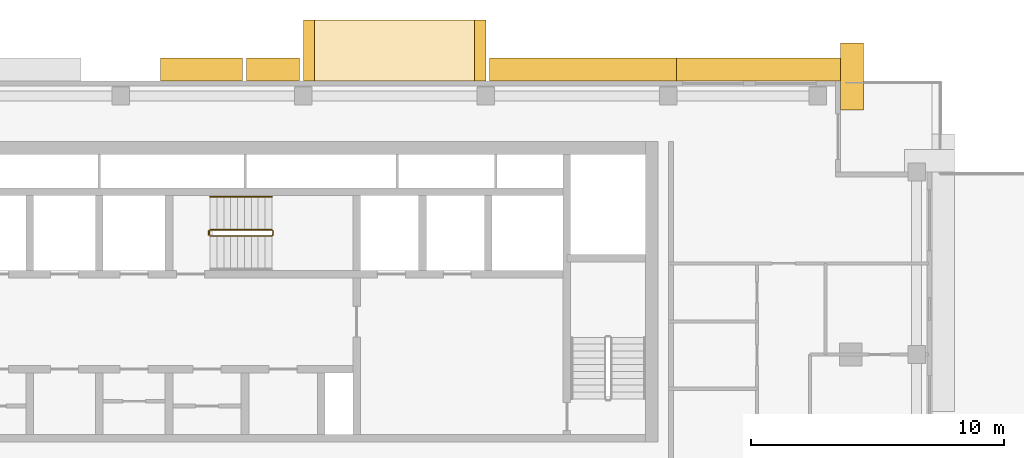
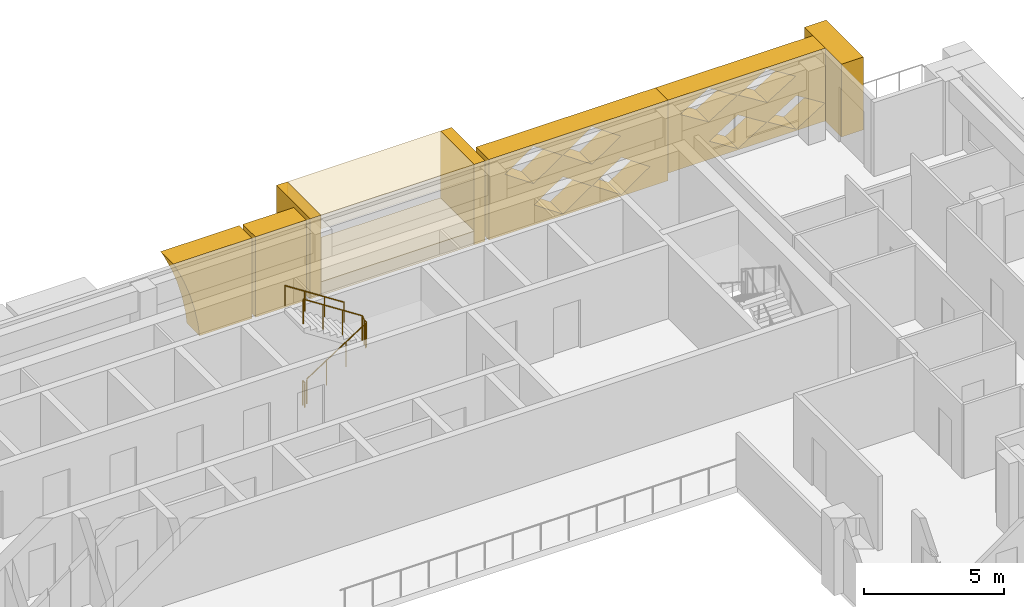
# One storey, part 18 of 19: 9 coverings, 3 railings.
"""IFC4 building model written with IfcOpenShell, lengths in metres."""

from ifc_helpers import new_model, si_unit, direction, frame, origin, origin_2d, place, context, subcontext, project, spatial, polyline, circle, outline, extrude, material, type_object, element, save


model = new_model("IFC4")

# Units and contexts
model_context = context("Model", 3, precision=1e-05, world=origin(), true_north=direction((0.0, 1.0)))
body_context = subcontext(model_context, "Body", "Model", "MODEL_VIEW")
ifc_project = project(units=[si_unit("LENGTHUNIT", "METRE"), si_unit("AREAUNIT", "SQUARE_METRE"), si_unit("VOLUMEUNIT", "CUBIC_METRE"), si_unit("PLANEANGLEUNIT", "RADIAN"), si_unit("MASSUNIT", "GRAM", prefix="KILO")], contexts=[model_context])

# Site, building, storey
site_placement = place(None, origin())
site = spatial("IfcSite", under=ifc_project, at=site_placement, CompositionType="ELEMENT")
building_placement = place(site_placement, origin())
building = spatial("IfcBuilding", under=site, at=building_placement, Name="Saffron Iwan Residences", CompositionType="ELEMENT")
storey_placement = place(building_placement, frame((0.0, 0.0, 211.5)))
storey = spatial("IfcBuildingStorey", under=building, at=storey_placement, Name="L56", CompositionType="ELEMENT", Elevation=211.5)

# Coverings
ifc_material_1 = material(Name="Precast concrete C40/50 white painted", Category="concrete")
covering_type_1 = type_object("IfcCoveringType", Name="IWAN PANEL PRECAST WHITE", PredefinedType="CLADDING", material=ifc_material_1)
covering_1_placement = place(storey_placement, frame((55.199951171875, 80.39990234375, -0.280029296875), z_axis=(0.0, 1.0, 0.0), x_axis=(-1.0, 0.0, 0.0)))
element("IfcCovering", 1, at=covering_1_placement, inside=storey, type_object=covering_type_1, Name="Iwan panel L56 F5.0", PredefinedType="CLADDING", context=body_context, shape_type="SweptSolid", body=[
    extrude(outline(polyline([(0.0, 0.0), (0.0, 3.5), (3.233154296875, 3.5), (3.104736328125, 3.271484375), (2.8017578125, 2.614990234375), (2.55126953125, 1.93701171875), (2.354736328125, 1.241455078125), (2.21337890625, 0.532470703125), (2.150390625, 0.0), (0.0, 0.0)])), origin(), (0.0, 0.0, 1.0), 0.900146484375),
])
ifc_material_2 = material(Name="Precast concrete C40/50", Category="concrete")
covering_type_2 = type_object("IfcCoveringType", Name="OUTER SKIN LATTICE SCREEN", PredefinedType="CLADDING", material=ifc_material_2)
covering_2_placement = place(storey_placement, frame((78.800048828125, 79.25, 0.050048828125), z_axis=(1.0, 0.0, 0.0), x_axis=(0.0, 1.0, 0.0)))
element("IfcCovering", 2, at=covering_2_placement, inside=storey, type_object=covering_type_2, Name="OUTER SKIN lattice screen L56 F4.0", PredefinedType="CLADDING", context=body_context, shape_type="SweptSolid", body=[
    extrude(outline(polyline([(0.0, 0.0), (2.64990234375, 0.0), (2.64990234375, 3.169921875), (0.0, 3.169921875), (0.0, 0.0)])), origin(), (0.0, 0.0, 1.0), 0.89990234375),
])
covering_3_placement = place(storey_placement, frame((79.699951171875, 80.39990234375, 0.050048828125), z_axis=(0.0, 1.0, 0.0), x_axis=(-1.0, 0.0, 0.0)))
element("IfcCovering", 3, at=covering_3_placement, inside=storey, type_object=covering_type_2, Name="OUTER SKIN lattice screen L56 F5.0", PredefinedType="CLADDING", context=body_context, shape_type="SweptSolid", body=[
    extrude(outline(polyline([(0.0, 0.0), (7.375, 0.0), (7.375, 3.169921875), (0.0, 3.169921875), (0.0, 0.0)]), holes=[polyline([(0.919921875, 0.79248046875), (2.10009765625, 0.06005859375), (3.280029296875, 0.79248046875), (2.10009765625, 1.52490234375), (0.919921875, 0.79248046875)]), polyline([(3.320068359375, 0.79248046875), (4.5, 0.06005859375), (5.679931640625, 0.79248046875), (4.5, 1.52490234375), (3.320068359375, 0.79248046875)]), polyline([(2.1201171875, 2.37744140625), (3.300048828125, 1.64501953125), (4.47998046875, 2.37744140625), (3.300048828125, 3.110107421875), (2.1201171875, 2.37744140625)]), polyline([(4.52001953125, 2.37744140625), (5.699951171875, 1.64501953125), (6.8798828125, 2.37744140625), (5.699951171875, 3.110107421875), (4.52001953125, 2.37744140625)])]), origin(), (0.0, 0.0, 1.0), 0.900146484375),
])
covering_4_placement = place(storey_placement, frame((72.324951171875, 80.39990234375, -0.280029296875), z_axis=(0.0, 1.0, 0.0), x_axis=(-1.0, 0.0, 0.0)))
element("IfcCovering", 4, at=covering_4_placement, inside=storey, type_object=covering_type_2, Name="OUTER SKIN lattice screen L56 F5.1", PredefinedType="CLADDING", context=body_context, shape_type="SweptSolid", body=[
    extrude(outline(polyline([(0.0, 0.0), (7.375, 0.0), (7.375, 3.5), (0.0, 3.5), (0.0, 0.0)]), holes=[polyline([(0.7451171875, 0.875), (1.925048828125, 0.06005859375), (3.10498046875, 0.875), (1.925048828125, 1.68994140625), (0.7451171875, 0.875)]), polyline([(3.14501953125, 0.875), (4.324951171875, 0.06005859375), (5.5048828125, 0.875), (4.324951171875, 1.68994140625), (3.14501953125, 0.875)]), polyline([(1.945068359375, 2.625), (3.125, 1.81005859375), (4.304931640625, 2.625), (3.125, 3.43994140625), (1.945068359375, 2.625)]), polyline([(4.344970703125, 2.625), (5.52490234375, 1.81005859375), (6.705078125, 2.625), (5.52490234375, 3.43994140625), (4.344970703125, 2.625)])]), origin(), (0.0, 0.0, 1.0), 0.900146484375),
])
covering_5_placement = place(storey_placement, frame((57.449951171875, 80.39990234375, -0.280029296875), z_axis=(0.0, 1.0, 0.0), x_axis=(-1.0, 0.0, 0.0)))
element("IfcCovering", 5, at=covering_5_placement, inside=storey, type_object=covering_type_2, Name="OUTER SKIN lattice screen L56 F5.2", PredefinedType="CLADDING", context=body_context, shape_type="SweptSolid", body=[
    extrude(outline(polyline([(0.0, 0.0), (2.10009765625, 0.0), (2.10009765625, 3.5), (0.0, 3.5), (0.0, 0.0)])), origin(), (0.0, 0.0, 1.0), 0.900146484375),
])

# Railings
ifc_material_3 = material(Name="Steel S355", Category="steel")
railing_type_1 = type_object("IfcRailingType", Name="Stair guard 1100", PredefinedType="GUARDRAIL", material=ifc_material_3)
railing_1_placement = place(storey_placement, frame((53.925048828125, 74.27490234375, 0.175048828125)))
element("IfcRailing", 6, at=railing_1_placement, inside=storey, type_object=railing_type_1, Name="L56 ST-C stair guard 1", PredefinedType="GUARDRAIL", context=body_context, shape_type="SweptSolid", body=[
    extrude(circle(Radius=0.02392578125, at=origin_2d()), frame((0.0, 0.0, 1.076171875), z_axis=(0.839153699163, 0.0, 0.543894354798), x_axis=(0.0, 1.0, 0.0)), (0.0, 0.0, 1.0), 2.895751953125),
    extrude(circle(Radius=0.02392578125, at=origin_2d()), frame((2.429931640625, 0.0, 2.65087890625), z_axis=(0.707106781187, 0.707106781187, 0.0), x_axis=(-0.707106781187, 0.707106781187, 0.0)), (0.0, 0.0, 1.0), 0.07080078125),
    extrude(circle(Radius=0.02392578125, at=origin_2d()), frame((2.47998046875, 0.050048828125, 2.65087890625), z_axis=(0.0, 1.0, 0.0), x_axis=(-1.0, 0.0, 0.0)), (0.0, 0.0, 1.0), 0.150146484375),
    extrude(circle(Radius=0.02392578125, at=origin_2d()), frame((2.47998046875, 0.2001953125, 2.65087890625), z_axis=(-0.265155923931, 0.263862480399, 0.927399011991), x_axis=(-0.705375805398, -0.708833529934, 0.0)), (0.0, 0.0, 1.0), 0.188720703125),
    extrude(circle(Radius=0.02392578125, at=origin_2d()), frame((2.429931640625, 0.25, 2.826171875), z_axis=(-0.839153699163, 0.0, 0.543894354798), x_axis=(0.0, -1.0, 0.0)), (0.0, 0.0, 1.0), 2.895751953125),
    extrude(circle(Radius=0.02099609375, at=origin_2d()), origin(), (0.0, 0.0, 1.0), 1.052001953125),
    extrude(circle(Radius=0.02099609375, at=origin_2d()), frame((0.81005859375, 0.0, 0.52490234375)), (0.0, 0.0, 1.0), 1.052001953125),
    extrude(circle(Radius=0.02099609375, at=origin_2d()), frame((1.619873046875, 0.0, 1.050048828125)), (0.0, 0.0, 1.0), 1.052001953125),
    extrude(circle(Radius=0.02099609375, at=origin_2d()), frame((2.429931640625, 0.0, 1.574951171875)), (0.0, 0.0, 1.0), 1.052001953125),
    extrude(circle(Radius=0.02099609375, at=origin_2d()), frame((2.47998046875, 0.050048828125, 1.574951171875)), (0.0, 0.0, 1.0), 1.052001953125),
    extrude(circle(Radius=0.02099609375, at=origin_2d()), frame((2.47998046875, 0.2001953125, 1.574951171875)), (0.0, 0.0, 1.0), 1.052001953125),
    extrude(circle(Radius=0.02099609375, at=origin_2d()), frame((2.429931640625, 0.25, 1.75)), (0.0, 0.0, 1.0), 1.052001953125),
    extrude(circle(Radius=0.02099609375, at=origin_2d()), frame((1.619873046875, 0.25, 2.27490234375)), (0.0, 0.0, 1.0), 1.052001953125),
    extrude(circle(Radius=0.02099609375, at=origin_2d()), frame((0.81005859375, 0.25, 2.800048828125)), (0.0, 0.0, 1.0), 1.052001953125),
    extrude(circle(Radius=0.02099609375, at=origin_2d()), frame((0.0, 0.25, 3.324951171875)), (0.0, 0.0, 1.0), 1.052001953125),
])
railing_2_placement = place(storey_placement, frame((53.875, 74.324951171875, 0.0)))
element("IfcRailing", 7, at=railing_2_placement, inside=storey, type_object=railing_type_1, Name="L56 ST-C stair guard 2", PredefinedType="GUARDRAIL", context=body_context, shape_type="SweptSolid", body=[
    extrude(circle(Radius=0.02392578125, at=origin_2d()), frame((0.0, 0.0, 1.076171875), z_axis=(0.0, 1.0, 0.0), x_axis=(-1.0, 0.0, 0.0)), (0.0, 0.0, 1.0), 0.150146484375),
    extrude(circle(Radius=0.02099609375, at=origin_2d()), origin(), (0.0, 0.0, 1.0), 1.052001953125),
    extrude(circle(Radius=0.02099609375, at=origin_2d()), frame((0.0, 0.150146484375, 0.0)), (0.0, 0.0, 1.0), 1.052001953125),
])
ifc_material_4 = material(Name="Stainless steel 316", Category="steel")
railing_type_2 = type_object("IfcRailingType", Name="Stair handrail 900", PredefinedType="HANDRAIL", material=ifc_material_4)
railing_3_placement = place(storey_placement, frame((56.35498046875, 75.824951171875, 1.925048828125)))
element("IfcRailing", 8, at=railing_3_placement, inside=storey, type_object=railing_type_2, Name="L56 ST-C stair handrail 2", PredefinedType="HANDRAIL", context=body_context, shape_type="SweptSolid", body=[
    extrude(circle(Radius=0.02392578125, at=origin_2d()), frame((0.0, 0.0, 0.8759765625), z_axis=(-0.839153699163, 0.0, 0.543894354798), x_axis=(0.0, -1.0, 0.0)), (0.0, 0.0, 1.0), 2.895751953125),
    extrude(circle(Radius=0.02099609375, at=origin_2d()), origin(), (0.0, 0.0, 1.0), 0.851806640625),
    extrude(circle(Radius=0.02099609375, at=origin_2d()), frame((-0.81005859375, 0.0, 0.52490234375)), (0.0, 0.0, 1.0), 0.851806640625),
    extrude(circle(Radius=0.02099609375, at=origin_2d()), frame((-1.619873046875, 0.0, 1.050048828125)), (0.0, 0.0, 1.0), 0.851806640625),
    extrude(circle(Radius=0.02099609375, at=origin_2d()), frame((-2.429931640625, 0.0, 1.574951171875)), (0.0, 0.0, 1.0), 0.851806640625),
])

# Coverings
covering_type_3 = type_object("IfcCoveringType", Name="WHITE SUN FRAME PRECAST", PredefinedType="CLADDING", material=ifc_material_1)
for number, where, z_axis, x_axis, name in (
    (9, (64.800048828125, 80.39990234375, -0.280029296875), (0.0, 1.0, 0.0), (-1.0, 0.0, 0.0), "Sun frame L56 F5 14.0a"),
    (10, (58.050048828125, 80.39990234375, -0.280029296875), (0.0, 1.0, 0.0), (-1.0, 0.0, 0.0), "Sun frame L56 F5 14.0b"),
):
    element("IfcCovering", number, at=place(storey_placement, frame(where, z_axis=z_axis, x_axis=x_axis)), inside=storey, type_object=covering_type_3, Name=name, PredefinedType="CLADDING", context=body_context, shape_type="SweptSolid", body=[
        extrude(outline(polyline([(0.0, 0.0), (0.449951171875, 0.0), (0.449951171875, 3.5), (0.0, 3.5), (0.0, 0.0)])), origin(), (0.0, 0.0, 1.0), 2.400146484375),
    ])
for number, where, z_axis, x_axis, name in (
    (11, (64.35009765625, 80.39990234375, 2.6201171875), (0.0, 1.0, 0.0), (-1.0, 0.0, 0.0), "Sun frame L56 F5 14.0h"),
    (12, (64.35009765625, 80.39990234375, -0.280029296875), (0.0, 1.0, 0.0), (-1.0, 0.0, 0.0), "Sun frame L56 F5 14.0s"),
):
    element("IfcCovering", number, at=place(storey_placement, frame(where, z_axis=z_axis, x_axis=x_axis)), inside=storey, type_object=covering_type_3, Name=name, PredefinedType="CLADDING", context=body_context, shape_type="SweptSolid", body=[
        extrude(outline(polyline([(0.0, 0.0), (6.300048828125, 0.0), (6.300048828125, 0.60009765625), (0.0, 0.60009765625), (0.0, 0.0)])), origin(), (0.0, 0.0, 1.0), 2.400146484375),
    ])

save(model, "model.ifc")
